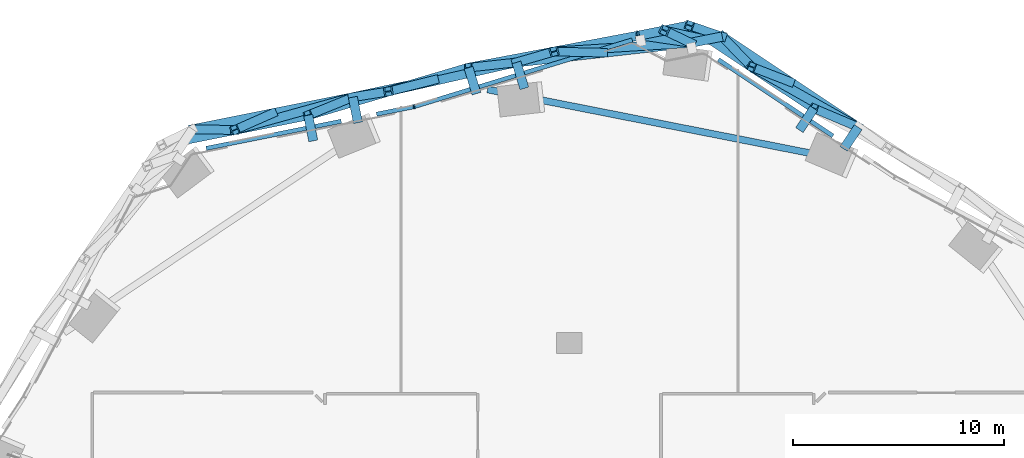
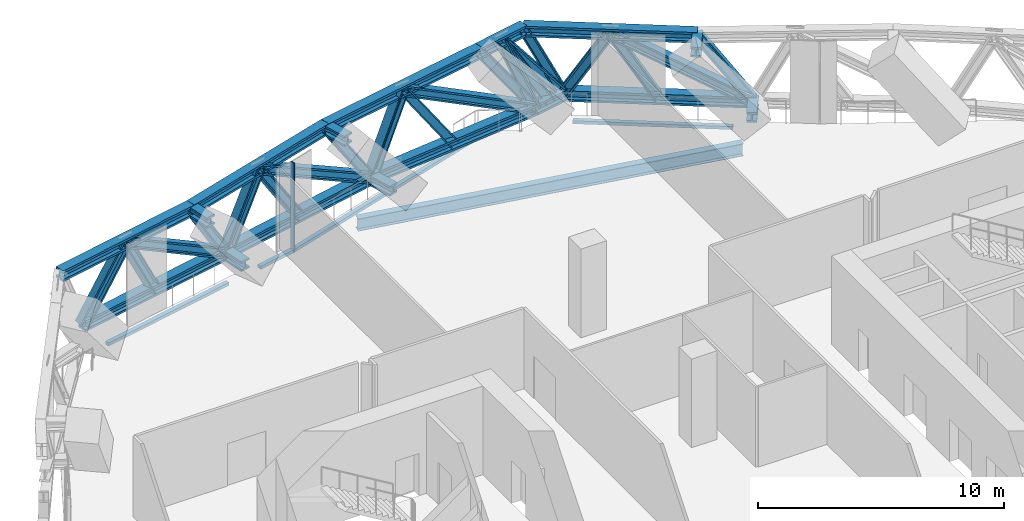
# One storey, part 14 of 34: 41 members, 1 beam, 3 elements without a shape of their own.
"""IFC4 building model written with IfcOpenShell, lengths in metres."""

from ifc_helpers import new_model, si_unit, direction, frame, origin, origin_2d, place, context, subcontext, project, spatial, rectangle, i_section, extrude, material, material_profile, profile_set, type_object, element, aggregate, save


model = new_model("IFC4")

# Units and contexts
model_context = context("Model", 3, precision=1e-05, world=origin(), true_north=direction((0.0, 1.0)))
body_context = subcontext(model_context, "Body", "Model", "MODEL_VIEW")
ifc_project = project(units=[si_unit("LENGTHUNIT", "METRE"), si_unit("AREAUNIT", "SQUARE_METRE"), si_unit("VOLUMEUNIT", "CUBIC_METRE"), si_unit("PLANEANGLEUNIT", "RADIAN"), si_unit("MASSUNIT", "GRAM", prefix="KILO")], contexts=[model_context])

# Site, building, storey
site_placement = place(None, origin())
site = spatial("IfcSite", under=ifc_project, at=site_placement, CompositionType="ELEMENT")
building_placement = place(site_placement, origin())
building = spatial("IfcBuilding", under=site, at=building_placement, Name="Orlundy Tower", CompositionType="ELEMENT")
storey_placement = place(building_placement, frame((0.0, 0.0, 76.300048828125)))
storey = spatial("IfcBuildingStorey", under=building, at=storey_placement, Name="L18", CompositionType="ELEMENT", Elevation=76.300048828125)

# Members
ifc_material_1 = material(Name="Steel ASTM A992 Gr 50", Category="steel")
ifc_material_profile_1 = material_profile(ifc_material_1, i_section(OverallWidth=0.4423828125, OverallDepth=0.531494140625, WebThickness=0.06591796875, FlangeThickness=0.105712890625, at=origin_2d()), Name="W14X605")
ifc_profile_set_1 = profile_set([ifc_material_profile_1], Name="Steel ASTM A992 Gr 50")
member_type_1 = type_object("IfcMemberType", Name="BELT TRUSS chord W14X605", PredefinedType="CHORD", material=ifc_profile_set_1)
member_1_placement = place(storey_placement, frame((13.714111328125, 28.247802734375, 0.28466796875), z_axis=(-0.832272959515, 0.554366053127, 0.0), x_axis=(-0.554366053127, -0.832272959515, 0.0)))
element("IfcMember", 1, at=member_1_placement, inside=storey, type_object=member_type_1, Name="Belt truss bottom chord BT-17A", PredefinedType="CHORD", context=body_context, shape_type="SweptSolid", body=[
    extrude(i_section(OverallWidth=0.4423828125, OverallDepth=0.531494140625, WebThickness=0.06591796875, FlangeThickness=0.105712890625, at=origin_2d()), origin(), (0.0, 0.0, 1.0), 7.757080078125),
])
member_2_placement = place(storey_placement, frame((11.607421875, 29.140380859375, 3.715087890625), z_axis=(-0.832267088185, 0.554374867688, 0.0), x_axis=(-0.554374867688, -0.832267088185, 0.0)))
element("IfcMember", 2, at=member_2_placement, inside=storey, type_object=member_type_1, Name="Belt truss top chord BT-17A", PredefinedType="CHORD", context=body_context, shape_type="SweptSolid", body=[
    extrude(i_section(OverallWidth=0.4423828125, OverallDepth=0.531494140625, WebThickness=0.06591796875, FlangeThickness=0.105712890625, at=origin_2d()), origin(), (0.0, 0.0, 1.0), 7.101318359375),
])
member_3_placement = place(storey_placement, frame((7.258056640625, 32.548095703125, 0.28466796875), z_axis=(-0.980519106606, -0.196423729676, 0.0), x_axis=(0.196423729676, -0.980519106606, 0.0)))
element("IfcMember", 3, at=member_3_placement, inside=storey, type_object=member_type_1, Name="Belt truss bottom chord BT-17B", PredefinedType="CHORD", context=body_context, shape_type="SweptSolid", body=[
    extrude(i_section(OverallWidth=0.4423828125, OverallDepth=0.531494140625, WebThickness=0.06591796875, FlangeThickness=0.105712890625, at=origin_2d()), origin(), (0.0, 0.0, 1.0), 1.5263671875),
])
member_4_placement = place(storey_placement, frame((5.697265625, 33.0771484375, 3.715087890625), z_axis=(-0.980518285425, -0.19642782885, 0.0), x_axis=(0.19642782885, -0.980518285425, 0.0)))
element("IfcMember", 4, at=member_4_placement, inside=storey, type_object=member_type_1, Name="Belt truss top chord BT-17B", PredefinedType="CHORD", context=body_context, shape_type="SweptSolid", body=[
    extrude(i_section(OverallWidth=0.4423828125, OverallDepth=0.531494140625, WebThickness=0.06591796875, FlangeThickness=0.105712890625, at=origin_2d()), origin(), (0.0, 0.0, 1.0), 2.409912109375),
])
member_5_placement = place(storey_placement, frame((5.761474609375, 32.248291015625, 0.28466796875), z_axis=(-0.993786786133, -0.11130060066, 0.0), x_axis=(0.11130060066, -0.993786786133, 0.0)))
element("IfcMember", 5, at=member_5_placement, inside=storey, type_object=member_type_1, Name="Belt truss bottom chord BT-18A", PredefinedType="CHORD", context=body_context, shape_type="SweptSolid", body=[
    extrude(i_section(OverallWidth=0.4423828125, OverallDepth=0.531494140625, WebThickness=0.06591796875, FlangeThickness=0.105712890625, at=origin_2d()), origin(), (0.0, 0.0, 1.0), 8.324462890625),
])
member_6_placement = place(storey_placement, frame((3.334228515625, 32.603759765625, 3.715087890625), z_axis=(-0.982640622953, -0.185519287736, 0.0), x_axis=(0.185519287736, -0.982640622953, 0.0)))
element("IfcMember", 6, at=member_6_placement, inside=storey, type_object=member_type_1, Name="Belt truss top chord BT-18A", PredefinedType="CHORD", context=body_context, shape_type="SweptSolid", body=[
    extrude(i_section(OverallWidth=0.4423828125, OverallDepth=0.531494140625, WebThickness=0.06591796875, FlangeThickness=0.105712890625, at=origin_2d()), origin(), (0.0, 0.0, 1.0), 8.26318359375),
])
member_7_placement = place(storey_placement, frame((-2.51123046875, 31.32177734375, 0.28466796875), z_axis=(-0.978143999995, -0.207928630241, 0.0), x_axis=(0.207928630241, -0.978143999995, 0.0)))
element("IfcMember", 7, at=member_7_placement, inside=storey, type_object=member_type_1, Name="Belt truss bottom chord BT-19A", PredefinedType="CHORD", context=body_context, shape_type="SweptSolid", body=[
    extrude(i_section(OverallWidth=0.4423828125, OverallDepth=0.531494140625, WebThickness=0.06591796875, FlangeThickness=0.105712890625, at=origin_2d()), origin(), (0.0, 0.0, 1.0), 7.939697265625),
])
member_8_placement = place(storey_placement, frame((-4.785400390625, 31.07080078125, 3.715087890625), z_axis=(-0.958729533582, -0.284319681762, 0.0), x_axis=(0.284319681762, -0.958729533582, 0.0)))
element("IfcMember", 8, at=member_8_placement, inside=storey, type_object=member_type_1, Name="Belt truss top chord BT-19A", PredefinedType="CHORD", context=body_context, shape_type="SweptSolid", body=[
    extrude(i_section(OverallWidth=0.4423828125, OverallDepth=0.531494140625, WebThickness=0.06591796875, FlangeThickness=0.105712890625, at=origin_2d()), origin(), (0.0, 0.0, 1.0), 7.940185546875),
])
member_9_placement = place(storey_placement, frame((-10.27734375, 29.6708984375, 0.28466796875), z_axis=(-0.980504347839, -0.196497388963, 0.0), x_axis=(0.196497388963, -0.980504347839, 0.0)))
element("IfcMember", 9, at=member_9_placement, inside=storey, type_object=member_type_1, Name="Belt truss bottom chord BT-20A", PredefinedType="CHORD", context=body_context, shape_type="SweptSolid", body=[
    extrude(i_section(OverallWidth=0.4423828125, OverallDepth=0.531494140625, WebThickness=0.06591796875, FlangeThickness=0.105712890625, at=origin_2d()), origin(), (0.0, 0.0, 1.0), 7.758056640625),
])
member_10_placement = place(storey_placement, frame((-12.39794921875, 28.813232421875, 3.715087890625), z_axis=(-0.980506554796, -0.196486376123, 0.0), x_axis=(0.196486376123, -0.980506554796, 0.0)))
element("IfcMember", 10, at=member_10_placement, inside=storey, type_object=member_type_1, Name="Belt truss top chord BT-20A", PredefinedType="CHORD", context=body_context, shape_type="SweptSolid", body=[
    extrude(i_section(OverallWidth=0.4423828125, OverallDepth=0.531494140625, WebThickness=0.06591796875, FlangeThickness=0.105712890625, at=origin_2d()), origin(), (0.0, 0.0, 1.0), 7.10107421875),
])
ifc_material_2 = material(Name="Steel ASTM A992 Gr 50", Category="steel")
ifc_material_profile_2 = material_profile(ifc_material_2, i_section(OverallWidth=0.42431640625, OverallDepth=0.47412109375, WebThickness=0.0478515625, FlangeThickness=0.0771484375, at=origin_2d()), Name="W14X426")
ifc_profile_set_2 = profile_set([ifc_material_profile_2], Name="Steel ASTM A992 Gr 50")
member_type_2 = type_object("IfcMemberType", Name="BELT TRUSS diagonal W14X426", PredefinedType="BRACE", material=ifc_profile_set_2)
member_11_placement = place(storey_placement, frame((13.714111328125, 28.247802734375, 0.28466796875), z_axis=(-0.749788044491, 0.423805821318, 0.508140250477), x_axis=(-0.492068325344, -0.870556582419, 0.0)))
element("IfcMember", 11, at=member_11_placement, inside=storey, type_object=member_type_2, Name="Belt truss diagonal BT-17A-0", PredefinedType="BRACE", context=body_context, shape_type="SweptSolid", body=[
    extrude(i_section(OverallWidth=0.42431640625, OverallDepth=0.47412109375, WebThickness=0.0478515625, FlangeThickness=0.0771484375, at=origin_2d()), origin(), (0.0, 0.0, 1.0), 6.7509765625),
])
member_12_placement = place(storey_placement, frame((8.65234375, 31.10888671875, 3.715087890625), z_axis=(-0.350958293247, 0.362265652021, -0.863476620278), x_axis=(-0.71822690349, -0.695808964518, 0.0)))
element("IfcMember", 12, at=member_12_placement, inside=storey, type_object=member_type_2, Name="Belt truss diagonal BT-17A-1", PredefinedType="BRACE", context=body_context, shape_type="SweptSolid", body=[
    extrude(i_section(OverallWidth=0.42431640625, OverallDepth=0.47412109375, WebThickness=0.0478515625, FlangeThickness=0.0771484375, at=origin_2d()), origin(), (0.0, 0.0, 1.0), 3.972900390625),
])
member_13_placement = place(storey_placement, frame((7.258056640625, 32.548095703125, 0.28466796875), z_axis=(-0.62301661272, 0.066450667917, 0.779380913936), x_axis=(-0.106057978728, -0.994359947478, 0.0)))
element("IfcMember", 13, at=member_13_placement, inside=storey, type_object=member_type_2, Name="Belt truss diagonal BT-17B-0", PredefinedType="BRACE", context=body_context, shape_type="SweptSolid", body=[
    extrude(i_section(OverallWidth=0.42431640625, OverallDepth=0.47412109375, WebThickness=0.0478515625, FlangeThickness=0.0771484375, at=origin_2d()), origin(), (0.0, 0.0, 1.0), 4.4013671875),
])
member_14_placement = place(storey_placement, frame((4.515869140625, 32.840576171875, 3.715087890625), z_axis=(0.336894882362, -0.160193450531, -0.927814580962), x_axis=(0.429425059774, 0.903102495865, 0.0)))
element("IfcMember", 14, at=member_14_placement, inside=storey, type_object=member_type_2, Name="Belt truss diagonal BT-17B-1", PredefinedType="BRACE", context=body_context, shape_type="SweptSolid", body=[
    extrude(i_section(OverallWidth=0.42431640625, OverallDepth=0.47412109375, WebThickness=0.0478515625, FlangeThickness=0.0771484375, at=origin_2d()), origin(), (0.0, 0.0, 1.0), 3.697265625),
])
member_15_placement = place(storey_placement, frame((5.761474609375, 32.248291015625, 0.28466796875), z_axis=(-0.882623778924, -0.055938370543, 0.466739931416), x_axis=(0.063250464832, -0.997997684716, 0.0)))
element("IfcMember", 15, at=member_15_placement, inside=storey, type_object=member_type_2, Name="Belt truss diagonal BT-18A-0", PredefinedType="BRACE", context=body_context, shape_type="SweptSolid", body=[
    extrude(i_section(OverallWidth=0.42431640625, OverallDepth=0.47412109375, WebThickness=0.0478515625, FlangeThickness=0.0771484375, at=origin_2d()), origin(), (0.0, 0.0, 1.0), 7.349853515625),
])
member_16_placement = place(storey_placement, frame((-0.7255859375, 31.837158203125, 3.715087890625), z_axis=(-0.457678197073, -0.132097166259, -0.879250252539), x_axis=(0.277305240577, -0.960781870951, 0.0)))
element("IfcMember", 16, at=member_16_placement, inside=storey, type_object=member_type_2, Name="Belt truss diagonal BT-18A-1", PredefinedType="BRACE", context=body_context, shape_type="SweptSolid", body=[
    extrude(i_section(OverallWidth=0.42431640625, OverallDepth=0.47412109375, WebThickness=0.0478515625, FlangeThickness=0.0771484375, at=origin_2d()), origin(), (0.0, 0.0, 1.0), 3.901611328125),
])
member_17_placement = place(storey_placement, frame((-2.51123046875, 31.32177734375, 0.28466796875), z_axis=(-0.854427318077, -0.193897984492, 0.482034780627), x_axis=(0.221306310334, -0.975204346281, 0.0)))
element("IfcMember", 17, at=member_17_placement, inside=storey, type_object=member_type_2, Name="Belt truss diagonal BT-19A-0", PredefinedType="BRACE", context=body_context, shape_type="SweptSolid", body=[
    extrude(i_section(OverallWidth=0.42431640625, OverallDepth=0.47412109375, WebThickness=0.0478515625, FlangeThickness=0.0771484375, at=origin_2d()), origin(), (0.0, 0.0, 1.0), 7.116455078125),
])
member_18_placement = place(storey_placement, frame((-8.591796875, 29.94189453125, 3.715087890625), z_axis=(-0.43988987463, -0.070723893517, -0.895262547571), x_axis=(0.158737840662, -0.987320767503, 0.0)))
element("IfcMember", 18, at=member_18_placement, inside=storey, type_object=member_type_2, Name="Belt truss diagonal BT-19A-1", PredefinedType="BRACE", context=body_context, shape_type="SweptSolid", body=[
    extrude(i_section(OverallWidth=0.42431640625, OverallDepth=0.47412109375, WebThickness=0.0478515625, FlangeThickness=0.0771484375, at=origin_2d()), origin(), (0.0, 0.0, 1.0), 3.831787109375),
])
member_19_placement = place(storey_placement, frame((-10.27734375, 29.6708984375, 0.28466796875), z_axis=(-0.829864376911, -0.230413403003, 0.508168062407), x_axis=(0.267531241491, -0.963549186511, 0.0)))
element("IfcMember", 19, at=member_19_placement, inside=storey, type_object=member_type_2, Name="Belt truss diagonal BT-20A-0", PredefinedType="BRACE", context=body_context, shape_type="SweptSolid", body=[
    extrude(i_section(OverallWidth=0.42431640625, OverallDepth=0.47412109375, WebThickness=0.0478515625, FlangeThickness=0.0771484375, at=origin_2d()), origin(), (0.0, 0.0, 1.0), 6.75048828125),
])
member_20_placement = place(storey_placement, frame((-15.87939453125, 28.115478515625, 3.715087890625), z_axis=(-0.504524104319, 0.00780350277, -0.863362341955), x_axis=(-0.015465206629, -0.999880406541, 0.0)))
element("IfcMember", 20, at=member_20_placement, inside=storey, type_object=member_type_2, Name="Belt truss diagonal BT-20A-1", PredefinedType="BRACE", context=body_context, shape_type="SweptSolid", body=[
    extrude(i_section(OverallWidth=0.42431640625, OverallDepth=0.47412109375, WebThickness=0.0478515625, FlangeThickness=0.0771484375, at=origin_2d()), origin(), (0.0, 0.0, 1.0), 3.973388671875),
])
ifc_material_3 = material(Name="Steel ASTM A992 Gr 50", Category="steel")
ifc_material_profile_3 = material_profile(ifc_material_3, i_section(OverallWidth=0.412109375, OverallDepth=0.434814453125, WebThickness=0.035888671875, FlangeThickness=0.057373046875, at=origin_2d()), Name="W14X311")
ifc_profile_set_3 = profile_set([ifc_material_profile_3], Name="Steel ASTM A992 Gr 50")
member_type_3 = type_object("IfcMemberType", Name="BELT TRUSS post W14X311", PredefinedType="POST", material=ifc_profile_set_3)
member_21_placement = place(storey_placement, frame((13.714111328125, 28.247802734375, 0.28466796875), z_axis=(-0.510907919878, 0.216465332608, 0.831935007789), x_axis=(-0.390116835058, -0.920765363708, 0.0)))
element("IfcMember", 21, at=member_21_placement, inside=storey, type_object=member_type_3, Name="Belt truss post BT-16A-2", PredefinedType="POST", context=body_context, shape_type="SweptSolid", body=[
    extrude(i_section(OverallWidth=0.412109375, OverallDepth=0.434814453125, WebThickness=0.035888671875, FlangeThickness=0.057373046875, at=origin_2d()), origin(), (0.0, 0.0, 1.0), 4.12353515625),
])
member_22_placement = place(storey_placement, frame((10.486083984375, 30.39794921875, 0.28466796875), z_axis=(-0.463743179694, 0.179792323162, 0.867535004377), x_axis=(-0.36148160673, -0.932379240436, 0.0)))
element("IfcMember", 22, at=member_22_placement, inside=storey, type_object=member_type_3, Name="Belt truss post BT-17A-1", PredefinedType="POST", context=body_context, shape_type="SweptSolid", body=[
    extrude(i_section(OverallWidth=0.412109375, OverallDepth=0.434814453125, WebThickness=0.035888671875, FlangeThickness=0.057373046875, at=origin_2d()), origin(), (0.0, 0.0, 1.0), 3.9541015625),
])
member_23_placement = place(storey_placement, frame((7.258056640625, 32.548095703125, 0.28466796875), z_axis=(-0.410113724264, 0.139013990377, 0.901377747479), x_axis=(-0.321023516463, -0.947071223234, 0.0)))
element("IfcMember", 23, at=member_23_placement, inside=storey, type_object=member_type_3, Name="Belt truss post BT-17A-2", PredefinedType="POST", context=body_context, shape_type="SweptSolid", body=[
    extrude(i_section(OverallWidth=0.412109375, OverallDepth=0.434814453125, WebThickness=0.035888671875, FlangeThickness=0.057373046875, at=origin_2d()), origin(), (0.0, 0.0, 1.0), 3.8056640625),
])
member_24_placement = place(storey_placement, frame((6.509765625, 32.398193359375, 0.28466796875), z_axis=(-0.499425393255, 0.110806760448, 0.859241606541), x_axis=(-0.216601366673, -0.976260133343, 0.0)))
element("IfcMember", 24, at=member_24_placement, inside=storey, type_object=member_type_3, Name="Belt truss post BT-17B-1", PredefinedType="POST", context=body_context, shape_type="SweptSolid", body=[
    extrude(i_section(OverallWidth=0.412109375, OverallDepth=0.434814453125, WebThickness=0.035888671875, FlangeThickness=0.057373046875, at=origin_2d()), origin(), (0.0, 0.0, 1.0), 3.992431640625),
])
member_25_placement = place(storey_placement, frame((5.761474609375, 32.248291015625, 0.28466796875), z_axis=(-0.575544340493, 0.084288127113, 0.81341516076), x_axis=(-0.144903743858, -0.98944575648, 0.0)))
element("IfcMember", 25, at=member_25_placement, inside=storey, type_object=member_type_3, Name="Belt truss post BT-17B-2", PredefinedType="POST", context=body_context, shape_type="SweptSolid", body=[
    extrude(i_section(OverallWidth=0.412109375, OverallDepth=0.434814453125, WebThickness=0.035888671875, FlangeThickness=0.057373046875, at=origin_2d()), origin(), (0.0, 0.0, 1.0), 4.21728515625),
])
member_26_placement = place(storey_placement, frame((1.625, 31.784912109375, 0.28466796875), z_axis=(-0.565205330327, 0.012562727533, 0.824854600792), x_axis=(-0.022221350033, -0.999753075315, 0.0)))
element("IfcMember", 26, at=member_26_placement, inside=storey, type_object=member_type_3, Name="Belt truss post BT-18A-1", PredefinedType="POST", context=body_context, shape_type="SweptSolid", body=[
    extrude(i_section(OverallWidth=0.412109375, OverallDepth=0.434814453125, WebThickness=0.035888671875, FlangeThickness=0.057373046875, at=origin_2d()), origin(), (0.0, 0.0, 1.0), 4.158935546875),
])
member_27_placement = place(storey_placement, frame((-2.51123046875, 31.32177734375, 0.28466796875), z_axis=(-0.551524742928, -0.060866069322, 0.831934961126), x_axis=(0.109693663397, -0.993965442161, 0.0)))
element("IfcMember", 27, at=member_27_placement, inside=storey, type_object=member_type_3, Name="Belt truss post BT-18A-2", PredefinedType="POST", context=body_context, shape_type="SweptSolid", body=[
    extrude(i_section(OverallWidth=0.412109375, OverallDepth=0.434814453125, WebThickness=0.035888671875, FlangeThickness=0.057373046875, at=origin_2d()), origin(), (0.0, 0.0, 1.0), 4.12353515625),
])
member_28_placement = place(storey_placement, frame((-6.394287109375, 30.496337890625, 0.28466796875), z_axis=(-0.534481923241, -0.134852621673, 0.834352350123), x_axis=(0.244638820638, -0.969614277657, 0.0)))
element("IfcMember", 28, at=member_28_placement, inside=storey, type_object=member_type_3, Name="Belt truss post BT-19A-1", PredefinedType="POST", context=body_context, shape_type="SweptSolid", body=[
    extrude(i_section(OverallWidth=0.412109375, OverallDepth=0.434814453125, WebThickness=0.035888671875, FlangeThickness=0.057373046875, at=origin_2d()), origin(), (0.0, 0.0, 1.0), 4.111572265625),
])
member_29_placement = place(storey_placement, frame((-10.27734375, 29.6708984375, 0.28466796875), z_axis=(-0.514317238917, -0.208012486797, 0.831990734978), x_axis=(0.374939463472, -0.927049296818, 0.0)))
element("IfcMember", 29, at=member_29_placement, inside=storey, type_object=member_type_3, Name="Belt truss post BT-19A-2", PredefinedType="POST", context=body_context, shape_type="SweptSolid", body=[
    extrude(i_section(OverallWidth=0.412109375, OverallDepth=0.434814453125, WebThickness=0.035888671875, FlangeThickness=0.057373046875, at=origin_2d()), origin(), (0.0, 0.0, 1.0), 4.123046875),
])
member_30_placement = place(storey_placement, frame((-14.080810546875, 28.90869140625, 0.28466796875), z_axis=(-0.454909732585, -0.200624639768, 0.867644448561), x_axis=(0.403520950996, -0.914970405044, 0.0)))
element("IfcMember", 30, at=member_30_placement, inside=storey, type_object=member_type_3, Name="Belt truss post BT-20A-1", PredefinedType="POST", context=body_context, shape_type="SweptSolid", body=[
    extrude(i_section(OverallWidth=0.412109375, OverallDepth=0.434814453125, WebThickness=0.035888671875, FlangeThickness=0.057373046875, at=origin_2d()), origin(), (0.0, 0.0, 1.0), 3.95361328125),
])
ifc_material_4 = material(Name="Steel ASTM A992 Gr 50", Category="steel")
ifc_material_profile_4 = material_profile(ifc_material_4, i_section(OverallWidth=0.43212890625, OverallDepth=0.497802734375, WebThickness=0.0556640625, FlangeThickness=0.0888671875, at=origin_2d()), Name="W14X500")
ifc_profile_set_4 = profile_set([ifc_material_profile_4], Name="Steel ASTM A992 Gr 50")
member_type_4 = type_object("IfcMemberType", Name="BELT TRUSS strut W14X500", PredefinedType="STRUT", material=ifc_profile_set_4)
for number, where, z_axis, x_axis, name in (
    (31, (13.026611328125, 27.215576171875, 0.28466796875), (0.55433672326, 0.832292495008, 0.0), (-0.832292495008, 0.55433672326, 0.0), "Belt truss bracket C-H23"),
    (32, (10.919921875, 28.108154296875, 3.715087890625), (0.55433672326, 0.832292495008, 0.0), (-0.832292495008, 0.55433672326, 0.0), "Belt truss bracket C-H23"),
):
    element("IfcMember", number, at=place(storey_placement, frame(where, z_axis=z_axis, x_axis=x_axis)), inside=storey, type_object=member_type_4, Name=name, PredefinedType="STRUT", context=body_context, shape_type="SweptSolid", body=[
        extrude(i_section(OverallWidth=0.43212890625, OverallDepth=0.497802734375, WebThickness=0.0556640625, FlangeThickness=0.0888671875, at=origin_2d()), origin(), (0.0, 0.0, 1.0), 1.240234375),
    ])
for number, where, z_axis, x_axis, name in (
    (33, (-2.13427734375, 30.08837890625, 0.28466796875), (-0.292276246269, 0.956333935332, 0.0), (-0.956333935332, -0.292276246269, 0.0), "Belt truss bracket C-H21"),
    (34, (-4.408447265625, 29.83740234375, 3.715087890625), (-0.292276246269, 0.956333935332, 0.0), (-0.956333935332, -0.292276246269, 0.0), "Belt truss bracket C-H21"),
):
    element("IfcMember", number, at=place(storey_placement, frame(where, z_axis=z_axis, x_axis=x_axis)), inside=storey, type_object=member_type_4, Name=name, PredefinedType="STRUT", context=body_context, shape_type="SweptSolid", body=[
        extrude(i_section(OverallWidth=0.43212890625, OverallDepth=0.497802734375, WebThickness=0.0556640625, FlangeThickness=0.0888671875, at=origin_2d()), origin(), (0.0, 0.0, 1.0), 1.289794921875),
    ])
member_31_placement = place(storey_placement, frame((-10.03369140625, 28.455322265625, 0.28466796875), z_axis=(-0.196532692827, 0.980497272128, 0.0), x_axis=(-0.980497272128, -0.196532692827, 0.0)))
element("IfcMember", 35, at=member_31_placement, inside=storey, type_object=member_type_4, Name="Belt truss bracket C-H20", PredefinedType="STRUT", context=body_context, shape_type="SweptSolid", body=[
    extrude(i_section(OverallWidth=0.43212890625, OverallDepth=0.497802734375, WebThickness=0.0556640625, FlangeThickness=0.0888671875, at=origin_2d()), origin(), (0.0, 0.0, 1.0), 1.23974609375),
])
member_32_placement = place(storey_placement, frame((-12.154296875, 27.597900390625, 3.715087890625), z_axis=(-0.196570647708, 0.980489663617, 0.0), x_axis=(-0.980489663617, -0.196570647708, 0.0)))
element("IfcMember", 36, at=member_32_placement, inside=storey, type_object=member_type_4, Name="Belt truss bracket C-H20", PredefinedType="STRUT", context=body_context, shape_type="SweptSolid", body=[
    extrude(i_section(OverallWidth=0.43212890625, OverallDepth=0.497802734375, WebThickness=0.0556640625, FlangeThickness=0.0888671875, at=origin_2d()), origin(), (0.0, 0.0, 1.0), 1.239501953125),
])

# Beam
ifc_material_5 = material(Name="Steel ASTM A992 Gr 50", Category="steel")
ifc_material_profile_5 = material_profile(ifc_material_5, i_section(OverallWidth=0.32373046875, OverallDepth=0.611083984375, WebThickness=0.0126953125, FlangeThickness=0.01904296875, at=origin_2d()), Name="W24X104")
ifc_profile_set_5 = profile_set([ifc_material_profile_5], Name="Steel ASTM A992 Gr 50")
beam_type = type_object("IfcBeamType", Name="CANTILEVER GIRDER beam W24X104", PredefinedType="BEAM", material=ifc_profile_set_5)
beam_placement = place(storey_placement, frame((-3.882080078125, 30.03564453125, -0.755615234375), z_axis=(0.981068465515, -0.193661214423, 0.0), x_axis=(0.193661214423, 0.981068465515, 0.0)))
element("IfcBeam", 37, at=beam_placement, inside=storey, type_object=beam_type, Name="Cantilever girder C-H21 L18", PredefinedType="BEAM", context=body_context, shape_type="SweptSolid", body=[
    extrude(i_section(OverallWidth=0.32373046875, OverallDepth=0.611083984375, WebThickness=0.0126953125, FlangeThickness=0.01904296875, at=origin_2d()), origin(), (0.0, 0.0, 1.0), 16.56640625),
])

# Curtain wall, member
ifc_material_6 = material(Name="Aluminium bronze anodised", Category="aluminium")
curtain_wall_type = type_object("IfcCurtainWallType", Name="CW4 wall", PredefinedType="NOTDEFINED", material=ifc_material_6)
curtain_wall_1_placement = place(storey_placement, origin())
curtain_wall_1 = element("IfcCurtainWall", 38, at=curtain_wall_1_placement, inside=storey, type_object=curtain_wall_type, Name="CW4 run 07", PredefinedType="NOTDEFINED")
ifc_material_7 = material(Name="Aluminium bronze anodised", Category="aluminium")
ifc_material_profile_6 = material_profile(ifc_material_7, rectangle(XDim=0.199951171875, YDim=0.06005859375, at=origin_2d()), Name="CW4 mullion 60x200")
ifc_profile_set_6 = profile_set([ifc_material_profile_6], Name="Aluminium bronze anodised")
member_type_5 = type_object("IfcMemberType", Name="CW4 mullion 60x200", PredefinedType="MULLION", material=ifc_profile_set_6)
member_33_placement = place(storey_placement, frame((-7.37548828125, 29.219970703125, -0.449951171875), z_axis=(0.0, 0.0, 1.0), x_axis=(-0.244733736249, 0.969590325004, 0.0)))
member_33 = element("IfcMember", 39, at=member_33_placement, type_object=member_type_5, Name="CW4 mullion 11", PredefinedType="MULLION", context=body_context, shape_type="SweptSolid", body=[
    extrude(rectangle(XDim=0.199951171875, YDim=0.06005859375, at=origin_2d()), origin(), (0.0, 0.0, 1.0), 4.449951171875),
])

# Curtain wall, members
curtain_wall_2_placement = place(storey_placement, origin())
curtain_wall_2 = element("IfcCurtainWall", 40, at=curtain_wall_2_placement, inside=storey, type_object=curtain_wall_type, Name="CW4 run 06", PredefinedType="NOTDEFINED")
ifc_material_8 = material(Name="Aluminium bronze anodised", Category="aluminium")
ifc_material_profile_7 = material_profile(ifc_material_8, rectangle(XDim=0.199951171875, YDim=0.14990234375, at=origin_2d()), Name="CW4 transom 200x150")
ifc_profile_set_7 = profile_set([ifc_material_profile_7], Name="Aluminium bronze anodised")
member_type_6 = type_object("IfcMemberType", Name="CW4 transom 200x150", PredefinedType="USERDEFINED", material=ifc_profile_set_7)
member_34_placement = place(storey_placement, frame((-17.237548828125, 27.243896484375, -0.375), z_axis=(0.980507307807, 0.19648261841, 0.0), x_axis=(-0.19648261841, 0.980507307807, 0.0)))
member_34 = element("IfcMember", 41, at=member_34_placement, type_object=member_type_6, Name="CW4 transom", ObjectType="TRANSOM", PredefinedType="USERDEFINED", context=body_context, shape_type="SweptSolid", body=[
    extrude(rectangle(XDim=0.199951171875, YDim=0.14990234375, at=origin_2d()), origin(), (0.0, 0.0, 1.0), 6.533447265625),
])
member_35_placement = place(storey_placement, frame((-9.14892578125, 28.86474609375, -0.375), z_axis=(0.98051726929, 0.196432901072, 0.0), x_axis=(-0.196432901072, 0.98051726929, 0.0)))
member_35 = element("IfcMember", 42, at=member_35_placement, type_object=member_type_6, Name="CW4 transom", ObjectType="TRANSOM", PredefinedType="USERDEFINED", context=body_context, shape_type="SweptSolid", body=[
    extrude(rectangle(XDim=0.199951171875, YDim=0.14990234375, at=origin_2d()), origin(), (0.0, 0.0, 1.0), 1.778564453125),
])
aggregate(curtain_wall_2, [member_34, member_35])

# Member
member_36_placement = place(storey_placement, frame((-7.3466796875, 29.228759765625, -0.375), z_axis=(0.956296307, 0.292399338607, 0.0), x_axis=(-0.292399338607, 0.956296307, 0.0)))
member_36 = element("IfcMember", 43, at=member_36_placement, type_object=member_type_6, Name="CW4 transom", ObjectType="TRANSOM", PredefinedType="USERDEFINED", context=body_context, shape_type="SweptSolid", body=[
    extrude(rectangle(XDim=0.199951171875, YDim=0.14990234375, at=origin_2d()), origin(), (0.0, 0.0, 1.0), 10.805908203125),
])

aggregate(curtain_wall_1, [member_33, member_36])

# Curtain wall, member
curtain_wall_3_placement = place(storey_placement, origin())
curtain_wall_3 = element("IfcCurtainWall", 44, at=curtain_wall_3_placement, inside=storey, type_object=curtain_wall_type, Name="CW4 run 010", PredefinedType="NOTDEFINED")
member_37_placement = place(storey_placement, frame((7.075439453125, 31.453369140625, -0.375), z_axis=(0.832245685141, -0.55440699812, 0.0), x_axis=(0.55440699812, 0.832245685141, 0.0)))
member_37 = element("IfcMember", 45, at=member_37_placement, type_object=member_type_6, Name="CW4 transom", ObjectType="TRANSOM", PredefinedType="USERDEFINED", context=body_context, shape_type="SweptSolid", body=[
    extrude(rectangle(XDim=0.199951171875, YDim=0.14990234375, at=origin_2d()), origin(), (0.0, 0.0, 1.0), 6.5341796875),
])
aggregate(curtain_wall_3, [member_37])

save(model, "model.ifc")
